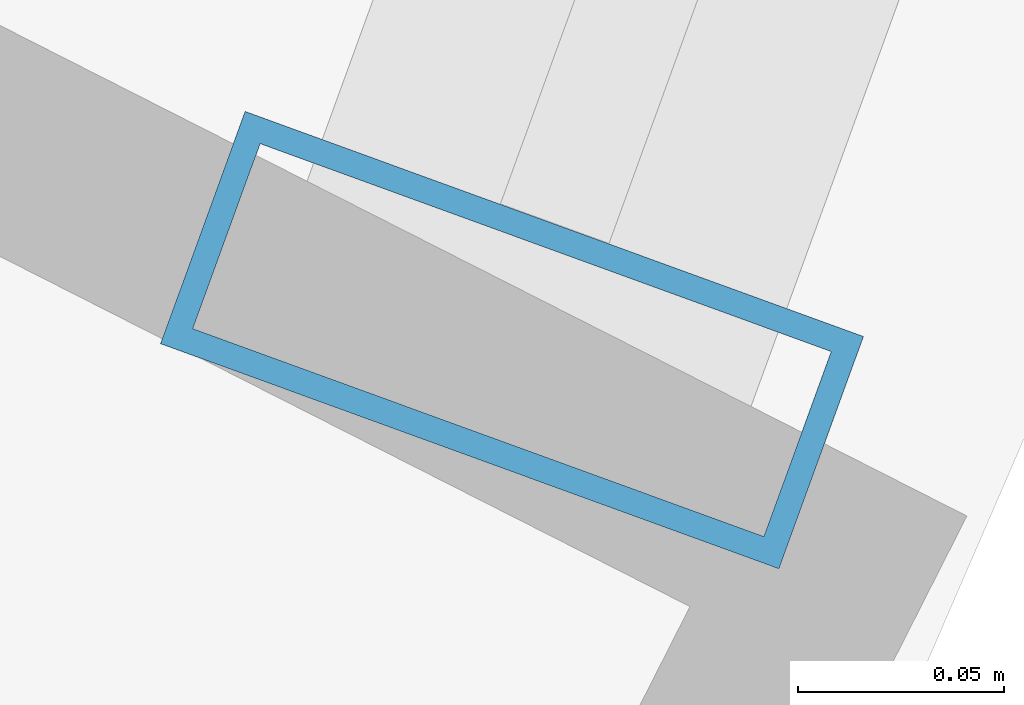
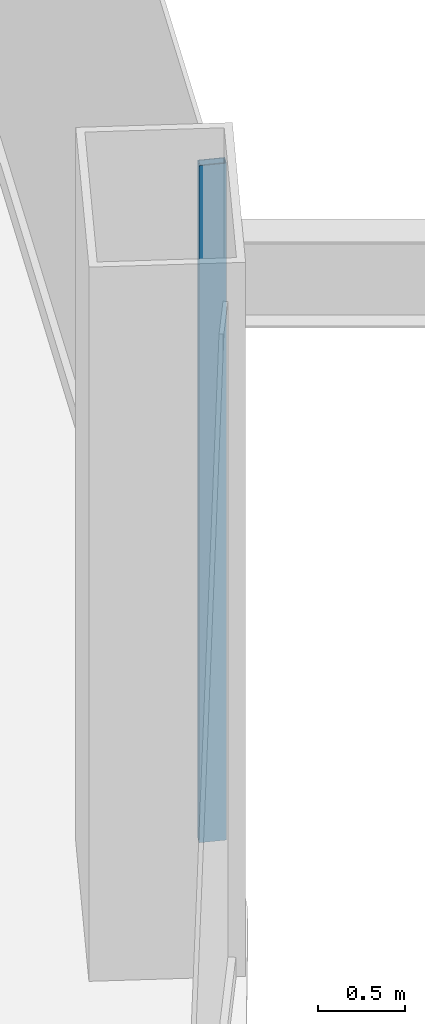
# One storey, part 16 of 52: 1 member, 1 element without a shape of its own.
"""IFC4 building model written with IfcOpenShell, lengths in metres."""

from ifc_helpers import new_model, si_unit, direction, frame, origin, origin_2d, place, context, subcontext, project, spatial, hollow_rectangle, extrude, material, layer, layer_set, material_profile, profile_set, type_object, element, aggregate, save


model = new_model("IFC4")

# Units and contexts
model_context = context("Model", 3, precision=1e-05, world=origin(), true_north=direction((0.0, 1.0)))
body_context = subcontext(model_context, "Body", "Model", "MODEL_VIEW")
ifc_project = project(units=[si_unit("LENGTHUNIT", "METRE"), si_unit("AREAUNIT", "SQUARE_METRE"), si_unit("VOLUMEUNIT", "CUBIC_METRE"), si_unit("PLANEANGLEUNIT", "RADIAN"), si_unit("MASSUNIT", "GRAM", prefix="KILO")], contexts=[model_context])

# Site, building, storey
site_placement = place(None, origin())
site = spatial("IfcSite", under=ifc_project, at=site_placement, CompositionType="ELEMENT")
building_placement = place(site_placement, origin())
building = spatial("IfcBuilding", under=site, at=building_placement, Name="Nagisa Residences", CompositionType="ELEMENT")
storey_placement = place(building_placement, frame((0.0, 0.0, 22.0)))
storey = spatial("IfcBuildingStorey", under=building, at=storey_placement, Name="L04", CompositionType="ELEMENT", Elevation=22.0)

# Curtain wall, member
ifc_material_1 = material(Name="Stainless steel curtain wall system", Category="steel")
ifc_layer = layer(ifc_material_1, 0.159912109375)
ifc_layer_set = layer_set([ifc_layer], Name="CW6 CURTAIN WALL")
curtain_wall_type = type_object("IfcCurtainWallType", Name="CW6 CURTAIN WALL", PredefinedType="NOTDEFINED", material=ifc_layer_set)
curtain_wall_placement = place(storey_placement, origin())
curtain_wall = element("IfcCurtainWall", 1, at=curtain_wall_placement, inside=storey, type_object=curtain_wall_type, Name="cw:CW6:L04:44", PredefinedType="NOTDEFINED")
ifc_material_2 = material(Name="Stainless steel", Category="steel")
ifc_material_profile = material_profile(ifc_material_2, hollow_rectangle(XDim=0.159912109375, YDim=0.06005859375, WallThickness=0.006103515625, at=origin_2d()), Name="CW6 MULLION 160x60")
ifc_profile_set = profile_set([ifc_material_profile], Name="Stainless steel")
member_type = type_object("IfcMemberType", Name="CW6 MULLION 160x60", PredefinedType="MULLION", material=ifc_profile_set)
member_placement = place(storey_placement, frame((28.88916015625, -15.78662109375, 0.0), z_axis=(0.0, 0.0, 1.0), x_axis=(-0.939681861718, 0.342049702176, 0.0)))
member = element("IfcMember", 2, at=member_placement, type_object=member_type, Name="CW6 mullion", PredefinedType="MULLION", context=body_context, shape_type="SweptSolid", body=[
    extrude(hollow_rectangle(XDim=0.159912109375, YDim=0.06005859375, WallThickness=0.006103515625, at=origin_2d()), origin(), (0.0, 0.0, 1.0), 4.739990234375),
])
aggregate(curtain_wall, [member])

save(model, "model.ifc")
